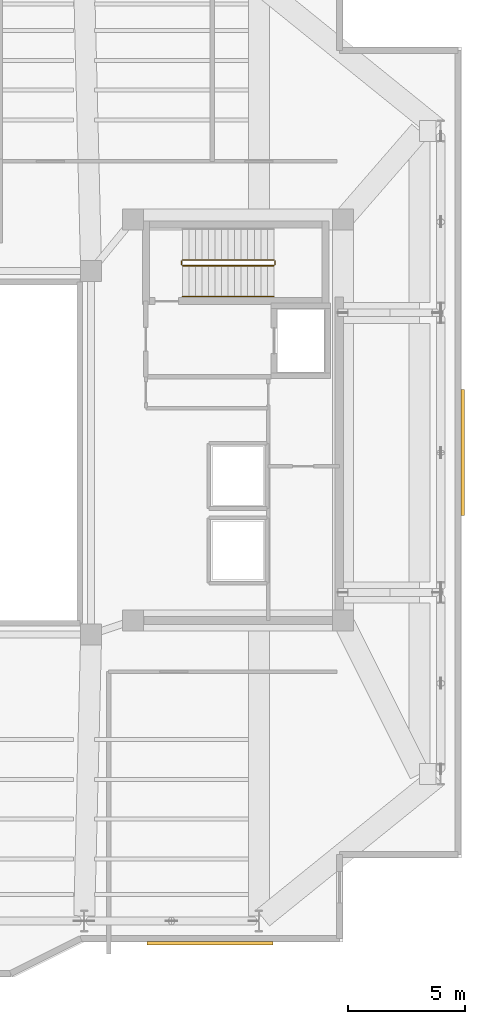
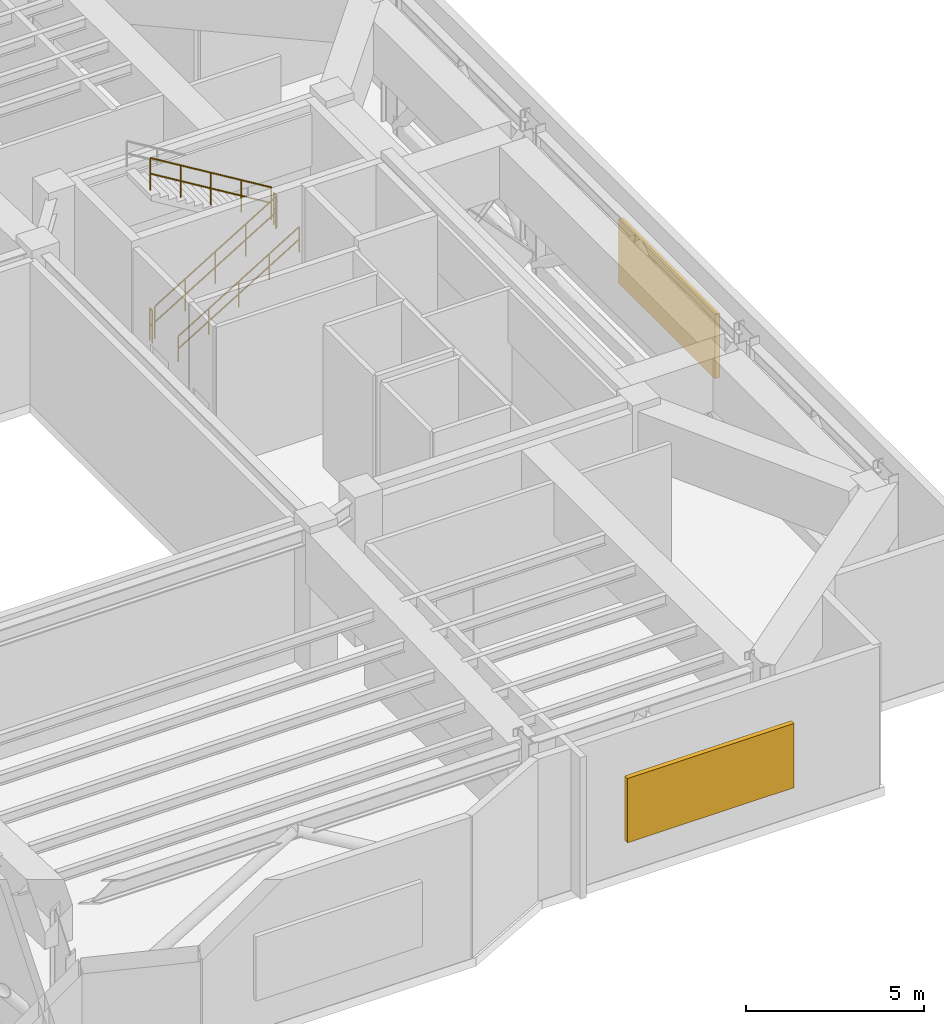
# One storey, part 12 of 13: 5 railings, 2 shading devices.
"""IFC4 building model written with IfcOpenShell, lengths in metres."""

from ifc_helpers import new_model, si_unit, direction, frame, origin, origin_2d, place, context, subcontext, project, spatial, rectangle, circle, extrude, material, layer, layer_set, type_object, element, save


model = new_model("IFC4")

# Units and contexts
model_context = context("Model", 3, precision=1e-05, world=origin(), true_north=direction((0.0, 1.0)))
body_context = subcontext(model_context, "Body", "Model", "MODEL_VIEW")
ifc_project = project(units=[si_unit("LENGTHUNIT", "METRE"), si_unit("AREAUNIT", "SQUARE_METRE"), si_unit("VOLUMEUNIT", "CUBIC_METRE"), si_unit("PLANEANGLEUNIT", "RADIAN"), si_unit("MASSUNIT", "GRAM", prefix="KILO")], contexts=[model_context])

# Site, building, storey
site_placement = place(None, origin())
site = spatial("IfcSite", under=ifc_project, at=site_placement, CompositionType="ELEMENT")
building_placement = place(site_placement, origin())
building = spatial("IfcBuilding", under=site, at=building_placement, Name="Tarnavaz Court Tower", CompositionType="ELEMENT")
storey_placement = place(building_placement, frame((0.0, 0.0, 236.39990234375)))
storey = spatial("IfcBuildingStorey", under=building, at=storey_placement, Name="L64", CompositionType="ELEMENT", Elevation=236.39990234375)

# Railings
ifc_material_1 = material(Name="Brushed Stainless Steel", Category="steel")
railing_type_1 = type_object("IfcRailingType", Name="RL-HANDRAIL-900", PredefinedType="HANDRAIL", material=ifc_material_1)
railing_1_placement = place(storey_placement, frame((11.719970703125, 6.699951171875, 0.170166015625)))
element("IfcRailing", 1, at=railing_1_placement, inside=storey, type_object=railing_type_1, Name="L64 ST-E1 stair handrail 1", PredefinedType="HANDRAIL", context=body_context, shape_type="SweptSolid", body=[
    extrude(circle(Radius=0.02392578125, at=origin_2d()), frame((0.0, 0.0, 0.8759765625), z_axis=(0.854794262968, 0.0, 0.518967020143), x_axis=(0.0, 1.0, 0.0)), (0.0, 0.0, 1.0), 4.585693359375),
    extrude(circle(Radius=0.02392578125, at=origin_2d()), frame((0.0, 0.0, 0.449951171875), z_axis=(0.854794262968, 0.0, 0.518967020143), x_axis=(0.0, 1.0, 0.0)), (0.0, 0.0, 1.0), 4.585693359375),
    extrude(circle(Radius=0.02099609375, at=origin_2d()), origin(), (0.0, 0.0, 1.0), 0.851806640625),
    extrude(circle(Radius=0.02099609375, at=origin_2d()), frame((0.97998046875, 0.0, 0.594970703125)), (0.0, 0.0, 1.0), 0.851806640625),
    extrude(circle(Radius=0.02099609375, at=origin_2d()), frame((1.9599609375, 0.0, 1.18994140625)), (0.0, 0.0, 1.0), 0.851806640625),
    extrude(circle(Radius=0.02099609375, at=origin_2d()), frame((2.93994140625, 0.0, 1.784912109375)), (0.0, 0.0, 1.0), 0.851806640625),
    extrude(circle(Radius=0.02099609375, at=origin_2d()), frame((3.919921875, 0.0, 2.3798828125)), (0.0, 0.0, 1.0), 0.851806640625),
])
ifc_material_2 = material(Name="Galvanized Painted Tubular Steel", Category="steel")
railing_type_2 = type_object("IfcRailingType", Name="RL-STGUARD-1120", PredefinedType="GUARDRAIL", material=ifc_material_2)
railing_2_placement = place(storey_placement, frame((11.719970703125, 8.02001953125, 0.170166015625)))
element("IfcRailing", 2, at=railing_2_placement, inside=storey, type_object=railing_type_2, Name="L64 ST-E1 stair guard 1", PredefinedType="GUARDRAIL", context=body_context, shape_type="SweptSolid", body=[
    extrude(circle(Radius=0.02392578125, at=origin_2d()), frame((0.0, 0.0, 1.09619140625), z_axis=(0.854794262968, 0.0, 0.518967020143), x_axis=(0.0, 1.0, 0.0)), (0.0, 0.0, 1.0), 4.585693359375),
    extrude(circle(Radius=0.02392578125, at=origin_2d()), frame((0.0, 0.0, 0.56005859375), z_axis=(0.854794262968, 0.0, 0.518967020143), x_axis=(0.0, 1.0, 0.0)), (0.0, 0.0, 1.0), 4.585693359375),
    extrude(circle(Radius=0.02099609375, at=origin_2d()), origin(), (0.0, 0.0, 1.0), 1.072021484375),
    extrude(circle(Radius=0.02099609375, at=origin_2d()), frame((0.97998046875, 0.0, 0.594970703125)), (0.0, 0.0, 1.0), 1.072021484375),
    extrude(circle(Radius=0.02099609375, at=origin_2d()), frame((1.9599609375, 0.0, 1.18994140625)), (0.0, 0.0, 1.0), 1.072021484375),
    extrude(circle(Radius=0.02099609375, at=origin_2d()), frame((2.93994140625, 0.0, 1.784912109375)), (0.0, 0.0, 1.0), 1.072021484375),
    extrude(circle(Radius=0.02099609375, at=origin_2d()), frame((3.919921875, 0.0, 2.3798828125)), (0.0, 0.0, 1.0), 1.072021484375),
])
railing_3_placement = place(storey_placement, frame((15.68994140625, 8.070068359375, 2.550048828125)))
element("IfcRailing", 3, at=railing_3_placement, inside=storey, type_object=railing_type_2, Name="L64 ST-E1 stair guard 2", PredefinedType="GUARDRAIL", context=body_context, shape_type="SweptSolid", body=[
    extrude(circle(Radius=0.02392578125, at=origin_2d()), frame((0.0, 0.0, 1.09619140625), z_axis=(0.0, 1.0, 0.0), x_axis=(-1.0, 0.0, 0.0)), (0.0, 0.0, 1.0), 0.14990234375),
    extrude(circle(Radius=0.02392578125, at=origin_2d()), frame((0.0, 0.0, 0.56005859375), z_axis=(0.0, 1.0, 0.0), x_axis=(-1.0, 0.0, 0.0)), (0.0, 0.0, 1.0), 0.14990234375),
    extrude(circle(Radius=0.02099609375, at=origin_2d()), origin(), (0.0, 0.0, 1.0), 1.072021484375),
    extrude(circle(Radius=0.02099609375, at=origin_2d()), frame((0.0, 0.14990234375, 0.0)), (0.0, 0.0, 1.0), 1.072021484375),
])
railing_4_placement = place(storey_placement, frame((15.639892578125, 8.27001953125, 2.72021484375)))
element("IfcRailing", 4, at=railing_4_placement, inside=storey, type_object=railing_type_2, Name="L64 ST-E1 stair guard 3", PredefinedType="GUARDRAIL", context=body_context, shape_type="SweptSolid", body=[
    extrude(circle(Radius=0.02392578125, at=origin_2d()), frame((0.0, 0.0, 1.09619140625), z_axis=(-0.854794262968, 0.0, 0.518967020143), x_axis=(0.0, -1.0, 0.0)), (0.0, 0.0, 1.0), 4.585693359375),
    extrude(circle(Radius=0.02392578125, at=origin_2d()), frame((0.0, 0.0, 0.56005859375), z_axis=(-0.854794262968, 0.0, 0.518967020143), x_axis=(0.0, -1.0, 0.0)), (0.0, 0.0, 1.0), 4.585693359375),
    extrude(circle(Radius=0.02099609375, at=origin_2d()), origin(), (0.0, 0.0, 1.0), 1.072021484375),
    extrude(circle(Radius=0.02099609375, at=origin_2d()), frame((-0.97998046875, 0.0, 0.594970703125)), (0.0, 0.0, 1.0), 1.072021484375),
    extrude(circle(Radius=0.02099609375, at=origin_2d()), frame((-1.9599609375, 0.0, 1.18994140625)), (0.0, 0.0, 1.0), 1.072021484375),
    extrude(circle(Radius=0.02099609375, at=origin_2d()), frame((-2.93994140625, 0.0, 1.784912109375)), (0.0, 0.0, 1.0), 1.072021484375),
    extrude(circle(Radius=0.02099609375, at=origin_2d()), frame((-3.919921875, 0.0, 2.3798828125)), (0.0, 0.0, 1.0), 1.072021484375),
])
railing_5_placement = place(storey_placement, frame((11.669921875, 8.070068359375, 0.0)))
element("IfcRailing", 5, at=railing_5_placement, inside=storey, type_object=railing_type_2, Name="L64 ST-E1 stair guard 4", PredefinedType="GUARDRAIL", context=body_context, shape_type="SweptSolid", body=[
    extrude(circle(Radius=0.02392578125, at=origin_2d()), frame((0.0, 0.0, 1.09619140625), z_axis=(0.0, 1.0, 0.0), x_axis=(-1.0, 0.0, 0.0)), (0.0, 0.0, 1.0), 0.14990234375),
    extrude(circle(Radius=0.02392578125, at=origin_2d()), frame((0.0, 0.0, 0.56005859375), z_axis=(0.0, 1.0, 0.0), x_axis=(-1.0, 0.0, 0.0)), (0.0, 0.0, 1.0), 0.14990234375),
    extrude(circle(Radius=0.02099609375, at=origin_2d()), origin(), (0.0, 0.0, 1.0), 1.072021484375),
    extrude(circle(Radius=0.02099609375, at=origin_2d()), frame((0.0, 0.14990234375, 0.0)), (0.0, 0.0, 1.0), 1.072021484375),
])

# Shading devices
ifc_material_3 = material(Name="Anodised Aluminium 6063-T6 Acoustic Louvre", Category="aluminium")
ifc_layer = layer(ifc_material_3, 0.159912109375)
ifc_layer_set = layer_set([ifc_layer], Name="Anodised Aluminium 6063-T6 Acoustic Louvre")
shading_device_type = type_object("IfcShadingDeviceType", Name="SD-LOUV-200", PredefinedType="JALOUSIE", material=ifc_layer_set)
for number, where, z_axis, x_axis, name in (
    (6, (23.75, 0.0, 1.10009765625), (0.0, 0.0, 1.0), (0.0, -1.0, 0.0), "L64 Plant Sand-Trap Acoustic Louvre 12"),
    (7, (12.89990234375, -21.050048828125, 1.10009765625), (0.0, 0.0, 1.0), (-1.0, 0.0, 0.0), "L64 Plant Sand-Trap Acoustic Louvre 15"),
):
    element("IfcShadingDevice", number, at=place(storey_placement, frame(where, z_axis=z_axis, x_axis=x_axis)), inside=storey, type_object=shading_device_type, Name=name, PredefinedType="JALOUSIE", context=body_context, shape_type="SweptSolid", body=[
        extrude(rectangle(XDim=5.39990234375, YDim=0.159912109375, at=origin_2d()), origin(), (0.0, 0.0, 1.0), 2.199951171875),
    ])

save(model, "model.ifc")
